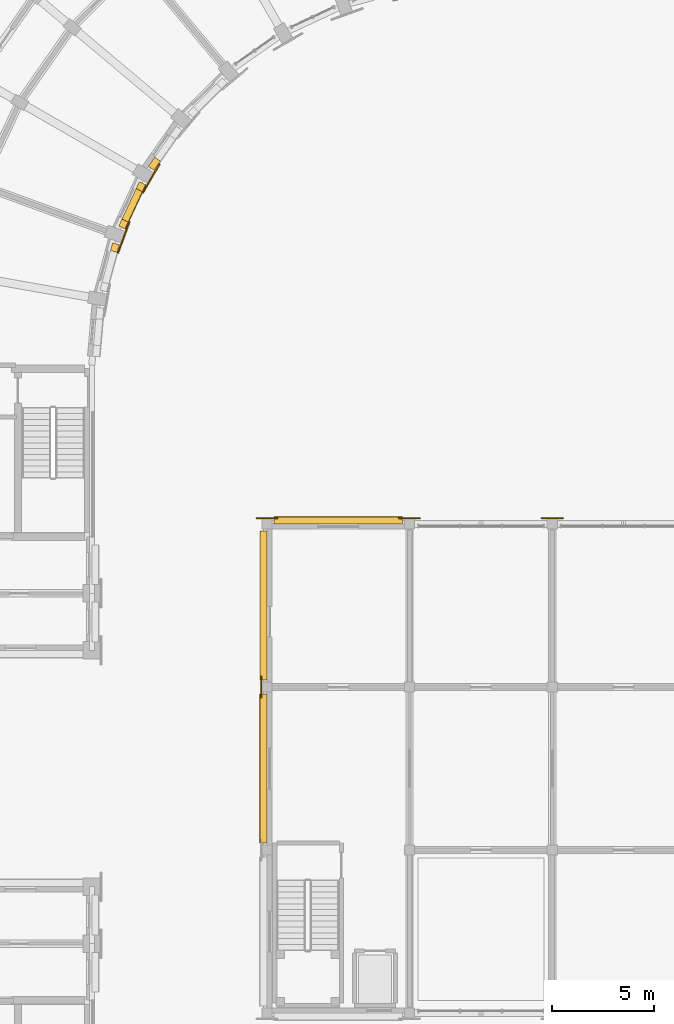
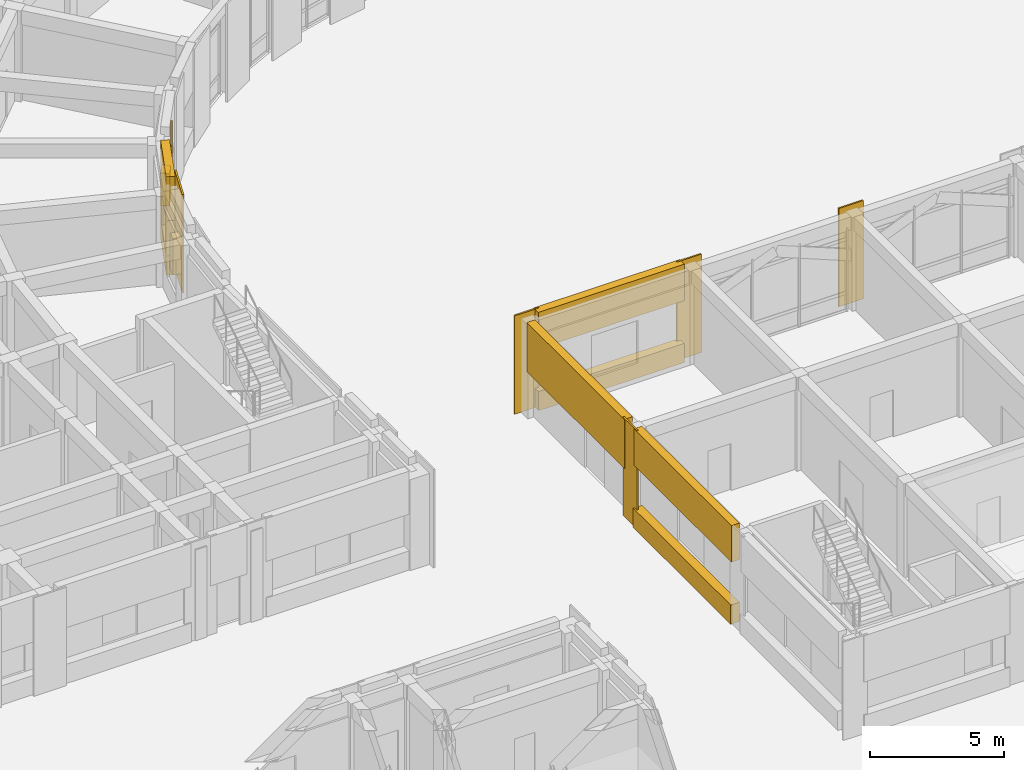
# One storey, part 124 of 135: 17 coverings.
"""IFC4 building model written with IfcOpenShell, lengths in metres."""

from ifc_helpers import new_model, si_unit, direction, frame, origin, place, context, subcontext, project, spatial, polyline, outline, extrude, material, layer, layer_set, type_object, element, save


model = new_model("IFC4")

# Units and contexts
model_context = context("Model", 3, precision=1e-05, world=origin(), true_north=direction((0.0, 1.0)))
body_context = subcontext(model_context, "Body", "Model", "MODEL_VIEW")
ifc_project = project(units=[si_unit("LENGTHUNIT", "METRE"), si_unit("AREAUNIT", "SQUARE_METRE"), si_unit("VOLUMEUNIT", "CUBIC_METRE"), si_unit("PLANEANGLEUNIT", "RADIAN"), si_unit("MASSUNIT", "GRAM", prefix="KILO")], contexts=[model_context])

# Site, building, storey
site_placement = place(None, origin())
site = spatial("IfcSite", under=ifc_project, at=site_placement, CompositionType="ELEMENT")
building_placement = place(site_placement, origin())
building = spatial("IfcBuilding", under=site, at=building_placement, Name="Kiranvali Square Residences", CompositionType="ELEMENT")
storey_placement = place(building_placement, origin())
storey = spatial("IfcBuildingStorey", under=building, at=storey_placement, Name="L00", CompositionType="ELEMENT", Elevation=0.0)

# Coverings
ifc_material = material(Name="Honed Porbandar limestone ashlar facade cladding", Category="masonry")
ifc_layer_1 = layer(ifc_material, 0.3798828125)
ifc_layer_set_1 = layer_set([ifc_layer_1], Name="Honed Porbandar limestone ashlar facade cladding")
covering_type_1 = type_object("IfcCoveringType", Name="COV-CLAD-JAMB", PredefinedType="CLADDING", material=ifc_layer_set_1)
covering_1_placement = place(storey_placement, frame((0.0, 0.0, 0.8798828125)))
element("IfcCovering", 1, at=covering_1_placement, inside=storey, type_object=covering_type_1, Name="L00 deep limestone window jamb reveal A-L00-GDN-05.R", PredefinedType="CLADDING", context=body_context, shape_type="SweptSolid", body=[
    extrude(outline(polyline([(32.486083984375, 98.009521484375), (32.171630859375, 97.56005859375), (32.44970703125, 97.365478515625), (32.76416015625, 97.814697265625), (32.486083984375, 98.009521484375)])), origin(), (0.0, 0.0, 1.0), 1.5),
])
covering_2_placement = place(storey_placement, frame((0.0, 0.0, 0.8798828125)))
element("IfcCovering", 2, at=covering_2_placement, inside=storey, type_object=covering_type_1, Name="L00 deep limestone window jamb reveal A-L00-GDN-06.L", PredefinedType="CLADDING", context=body_context, shape_type="SweptSolid", body=[
    extrude(outline(polyline([(31.733154296875, 96.801025390625), (31.575439453125, 96.46240234375), (31.883056640625, 96.319091796875), (32.041015625, 96.657470703125), (31.733154296875, 96.801025390625)])), origin(), (0.0, 0.0, 1.0), 1.60009765625),
])
covering_3_placement = place(storey_placement, frame((0.0, 0.0, 0.8798828125)))
element("IfcCovering", 3, at=covering_3_placement, inside=storey, type_object=covering_type_1, Name="L00 deep limestone window jamb reveal A-L00-GDN-06.R", PredefinedType="CLADDING", context=body_context, shape_type="SweptSolid", body=[
    extrude(outline(polyline([(30.8779296875, 94.967041015625), (30.72021484375, 94.62841796875), (31.02783203125, 94.485107421875), (31.185791015625, 94.823486328125), (30.8779296875, 94.967041015625)])), origin(), (0.0, 0.0, 1.0), 1.60009765625),
])
covering_4_placement = place(storey_placement, frame((0.0, 0.0, 0.8798828125)))
element("IfcCovering", 4, at=covering_4_placement, inside=storey, type_object=covering_type_1, Name="L00 deep limestone window jamb reveal A-L00-GDN-07.L", PredefinedType="CLADDING", context=body_context, shape_type="SweptSolid", body=[
    extrude(outline(polyline([(30.42041015625, 93.804931640625), (30.317138671875, 93.419921875), (30.645263671875, 93.33203125), (30.748291015625, 93.717041015625), (30.42041015625, 93.804931640625)])), origin(), (0.0, 0.0, 1.0), 1.650146484375),
])
ifc_layer_2 = layer(ifc_material, 0.06494140625)
ifc_layer_set_2 = layer_set([ifc_layer_2], Name="Honed Porbandar limestone ashlar facade cladding")
covering_type_2 = type_object("IfcCoveringType", Name="COV-CLAD-PIER", PredefinedType="CLADDING", material=ifc_layer_set_2)
covering_5_placement = place(storey_placement, frame((0.0, 0.0, 0.0048828125)))
element("IfcCovering", 5, at=covering_5_placement, inside=storey, type_object=covering_type_2, Name="L00 Classical limestone pilaster casing CLAD-NR-L00-N0", PredefinedType="CLADDING", context=body_context, shape_type="SweptSolid", body=[
    extrude(outline(polyline([(37.469970703125, 80.25048828125), (38.530029296875, 80.25048828125), (38.530029296875, 80.318115234375), (37.469970703125, 80.318115234375), (37.469970703125, 80.25048828125)])), origin(), (0.0, 0.0, 1.0), 4.490234375),
])
covering_6_placement = place(storey_placement, frame((0.0, 0.0, 0.0048828125)))
element("IfcCovering", 6, at=covering_6_placement, inside=storey, type_object=covering_type_2, Name="L00 Classical limestone pilaster casing CLAD-NR-L00-N1", PredefinedType="CLADDING", context=body_context, shape_type="SweptSolid", body=[
    extrude(outline(polyline([(44.469970703125, 80.25048828125), (45.530029296875, 80.25048828125), (45.530029296875, 80.318115234375), (44.469970703125, 80.318115234375), (44.469970703125, 80.25048828125)])), origin(), (0.0, 0.0, 1.0), 4.490234375),
])
covering_7_placement = place(storey_placement, frame((0.0, 0.0, 0.0048828125)))
element("IfcCovering", 7, at=covering_7_placement, inside=storey, type_object=covering_type_2, Name="L00 Classical limestone pilaster casing CLAD-NR-L00-N2", PredefinedType="CLADDING", context=body_context, shape_type="SweptSolid", body=[
    extrude(outline(polyline([(51.469970703125, 80.25048828125), (52.530029296875, 80.25048828125), (52.530029296875, 80.318115234375), (51.469970703125, 80.318115234375), (51.469970703125, 80.25048828125)])), origin(), (0.0, 0.0, 1.0), 4.490234375),
])
covering_8_placement = place(storey_placement, frame((0.0, 0.0, 0.0048828125)))
element("IfcCovering", 8, at=covering_8_placement, inside=storey, type_object=covering_type_2, Name="L00 Classical limestone pilaster casing CLAD-NR-L00-W2", PredefinedType="CLADDING", context=body_context, shape_type="SweptSolid", body=[
    extrude(outline(polyline([(37.74951171875, 71.469970703125), (37.74951171875, 72.530029296875), (37.681884765625, 72.530029296875), (37.681884765625, 71.469970703125), (37.74951171875, 71.469970703125)])), origin(), (0.0, 0.0, 1.0), 4.490234375),
])
ifc_layer_3 = layer(ifc_material, 0.050048828125)
ifc_layer_set_3 = layer_set([ifc_layer_3], Name="Honed Porbandar limestone ashlar facade cladding")
covering_type_3 = type_object("IfcCoveringType", Name="COV-CLAD-PIER-IN", PredefinedType="CLADDING", material=ifc_layer_set_3)
covering_9_placement = place(storey_placement, frame((0.0, 0.0, 0.0048828125)))
element("IfcCovering", 9, at=covering_9_placement, inside=storey, type_object=covering_type_3, Name="L00 Classical garden courtyard pilaster CLAD-PRIN-A-L00-A06", PredefinedType="CLADDING", context=body_context, shape_type="SweptSolid", body=[
    extrude(outline(polyline([(31.93310546875, 96.239013671875), (32.758056640625, 97.66796875), (32.69970703125, 97.70166015625), (31.874755859375, 96.272705078125), (31.93310546875, 96.239013671875)])), origin(), (0.0, 0.0, 1.0), 4.490234375),
])
covering_10_placement = place(storey_placement, frame((0.0, 0.0, 0.0048828125)))
element("IfcCovering", 10, at=covering_10_placement, inside=storey, type_object=covering_type_3, Name="L00 Classical garden courtyard pilaster CLAD-PRIN-A-L00-A07", PredefinedType="CLADDING", context=body_context, shape_type="SweptSolid", body=[
    extrude(outline(polyline([(30.71484375, 93.2861328125), (31.279296875, 94.836669921875), (31.2158203125, 94.859619140625), (30.6513671875, 93.30908203125), (30.71484375, 93.2861328125)])), origin(), (0.0, 0.0, 1.0), 4.490234375),
])
ifc_layer_4 = layer(ifc_material, 0.360107421875)
ifc_layer_set_4 = layer_set([ifc_layer_4], Name="Honed Porbandar limestone ashlar facade cladding")
covering_type_4 = type_object("IfcCoveringType", Name="COV-CLAD-WALL", PredefinedType="CLADDING", material=ifc_layer_set_4)
covering_11_placement = place(storey_placement, frame((0.0, 0.0, 2.47998046875)))
element("IfcCovering", 11, at=covering_11_placement, inside=storey, type_object=covering_type_4, Name="L00 light limestone spandrel lintel A-L00-GDN-06", PredefinedType="CLADDING", context=body_context, shape_type="SweptSolid", body=[
    extrude(outline(polyline([(31.733154296875, 96.801025390625), (30.72021484375, 94.62841796875), (31.02783203125, 94.485107421875), (32.041015625, 96.657470703125), (31.733154296875, 96.801025390625)])), origin(), (0.0, 0.0, 1.0), 2.01513671875),
])
covering_12_placement = place(storey_placement, frame((0.0, 0.0, 2.830078125)))
element("IfcCovering", 12, at=covering_12_placement, inside=storey, type_object=covering_type_4, Name="L00 light limestone spandrel lintel NR-L00-N-0", PredefinedType="CLADDING", context=body_context, shape_type="SweptSolid", body=[
    extrude(outline(polyline([(38.35009765625, 80.00048828125), (44.64990234375, 80.00048828125), (44.64990234375, 80.35009765625), (38.35009765625, 80.35009765625), (38.35009765625, 80.00048828125)])), origin(), (0.0, 0.0, 1.0), 1.6650390625),
])
covering_13_placement = place(storey_placement, frame((0.0, 0.0, 0.0048828125)))
element("IfcCovering", 13, at=covering_13_placement, inside=storey, type_object=covering_type_4, Name="L00 limestone window sill apron NR-L00-N-0", PredefinedType="CLADDING", context=body_context, shape_type="SweptSolid", body=[
    extrude(outline(polyline([(38.35009765625, 80.00048828125), (44.64990234375, 80.00048828125), (44.64990234375, 80.3798828125), (38.35009765625, 80.3798828125), (38.35009765625, 80.00048828125)])), origin(), (0.0, 0.0, 1.0), 0.875),
])
covering_14_placement = place(storey_placement, frame((0.0, 0.0, 2.830078125)))
element("IfcCovering", 14, at=covering_14_placement, inside=storey, type_object=covering_type_4, Name="L00 light limestone spandrel lintel NR-L00-W-1", PredefinedType="CLADDING", context=body_context, shape_type="SweptSolid", body=[
    extrude(outline(polyline([(37.99951171875, 64.35009765625), (37.99951171875, 71.64990234375), (37.64990234375, 71.64990234375), (37.64990234375, 64.35009765625), (37.99951171875, 64.35009765625)])), origin(), (0.0, 0.0, 1.0), 1.6650390625),
])
covering_15_placement = place(storey_placement, frame((0.0, 0.0, 0.0048828125)))
element("IfcCovering", 15, at=covering_15_placement, inside=storey, type_object=covering_type_4, Name="L00 limestone window sill apron NR-L00-W-1", PredefinedType="CLADDING", context=body_context, shape_type="SweptSolid", body=[
    extrude(outline(polyline([(37.99951171875, 64.35009765625), (37.99951171875, 71.64990234375), (37.6201171875, 71.64990234375), (37.6201171875, 64.35009765625), (37.99951171875, 64.35009765625)])), origin(), (0.0, 0.0, 1.0), 0.875),
])
covering_16_placement = place(storey_placement, frame((0.0, 0.0, 2.25)))
element("IfcCovering", 16, at=covering_16_placement, inside=storey, type_object=covering_type_4, Name="L00 light limestone spandrel lintel NR-L00-W-2", PredefinedType="CLADDING", context=body_context, shape_type="SweptSolid", body=[
    extrude(outline(polyline([(37.99951171875, 72.35009765625), (37.99951171875, 79.64990234375), (37.64990234375, 79.64990234375), (37.64990234375, 72.35009765625), (37.99951171875, 72.35009765625)])), origin(), (0.0, 0.0, 1.0), 2.2451171875),
])
ifc_layer_5 = layer(ifc_material, 0.2900390625)
ifc_layer_set_5 = layer_set([ifc_layer_5], Name="Honed Porbandar limestone ashlar facade cladding")
covering_type_5 = type_object("IfcCoveringType", Name="COV-CLAD-WALL-IN", PredefinedType="CLADDING", material=ifc_layer_set_5)
covering_17_placement = place(storey_placement, frame((0.0, 0.0, 0.0048828125)))
element("IfcCovering", 17, at=covering_17_placement, inside=storey, type_object=covering_type_5, Name="L00 limestone window sill apron A-L00-GDN-06", PredefinedType="CLADDING", context=body_context, shape_type="SweptSolid", body=[
    extrude(outline(polyline([(31.733154296875, 96.801025390625), (30.72021484375, 94.62841796875), (31.05517578125, 94.472412109375), (32.068115234375, 96.644775390625), (31.733154296875, 96.801025390625)])), origin(), (0.0, 0.0, 1.0), 0.875),
])

save(model, "model.ifc")
